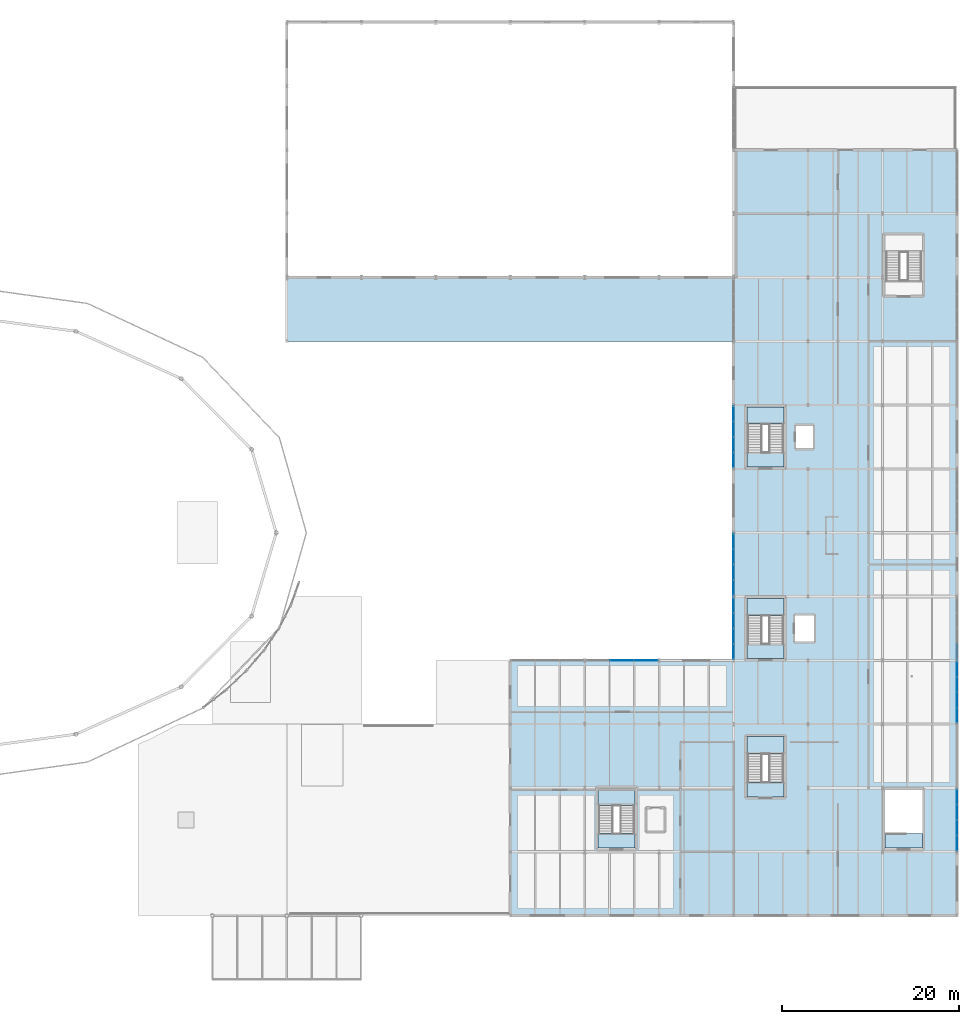
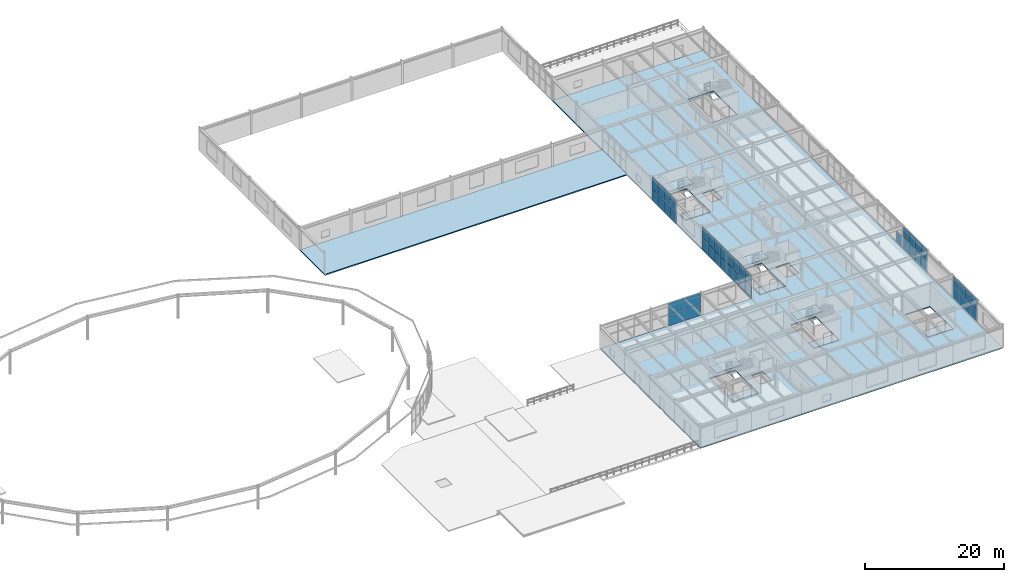
# One storey, part 54 of 73: 45 plates, 11 slabs, 11 elements without a shape of their own.
"""IFC4 building model written with IfcOpenShell, lengths in metres."""

from ifc_helpers import new_model, si_unit, derived_unit, direction, frame, origin, origin_2d, place, context, subcontext, project, spatial, polyline, rectangle, outline, extrude, material, layer, layer_set, type_object, element, aggregate, save


model = new_model("IFC4")

# Units and contexts
model_context = context("Model", 3, precision=1e-05, world=origin(), true_north=direction((0.0, 1.0)))
body_context = subcontext(model_context, "Body", "Model", "MODEL_VIEW")
ifc_project = project(units=[si_unit("LENGTHUNIT", "METRE"), si_unit("AREAUNIT", "SQUARE_METRE"), si_unit("VOLUMEUNIT", "CUBIC_METRE"), si_unit("PLANEANGLEUNIT", "RADIAN"), si_unit("MASSUNIT", "GRAM", prefix="KILO"), derived_unit("THERMALTRANSMITTANCEUNIT", [(si_unit("MASSUNIT", "GRAM", prefix="KILO"), 1), (si_unit("TIMEUNIT", "SECOND"), -3), (si_unit("THERMODYNAMICTEMPERATUREUNIT", "KELVIN"), -1)])], contexts=[model_context])

# Site, building, storey
site_placement = place(None, origin())
site = spatial("IfcSite", under=ifc_project, at=site_placement, CompositionType="ELEMENT")
building_placement = place(site_placement, origin())
building = spatial("IfcBuilding", under=site, at=building_placement, Name="Kharveza Railside Sports Centre", CompositionType="ELEMENT")
storey_placement = place(building_placement, frame((0.0, 0.0, 8.699951171875)))
storey = spatial("IfcBuildingStorey", under=building, at=storey_placement, Name="L02", CompositionType="ELEMENT", Elevation=8.699951171875)

# Curtain wall, plates
ifc_material_1 = material(Name="Low-E solar-control laminated glass", Category="glass")
curtain_wall_type_1 = type_object("IfcCurtainWallType", Name="CW-WG01", PredefinedType="NOTDEFINED", material=ifc_material_1)
curtain_wall_1_placement = place(storey_placement, origin())
curtain_wall_1 = element("IfcCurtainWall", 1, at=curtain_wall_1_placement, inside=storey, type_object=curtain_wall_type_1, Name="CW-WG-L02-CW-WG01-X1302-Y360", PredefinedType="NOTDEFINED")
ifc_layer_1 = layer(ifc_material_1, 0.035888671875, Name="Low-E solar-control laminated glass")
ifc_layer_set_1 = layer_set([ifc_layer_1], Name="Low-E solar-control laminated glass")
plate_type_1 = type_object("IfcPlateType", Name="PL-CP08", PredefinedType="CURTAIN_PANEL", material=ifc_layer_set_1)
plate_1_placement = place(storey_placement, frame((132.919921875, 36.0, 2.02001953125), z_axis=(0.0, 0.0, 1.0), x_axis=(-1.0, 0.0, 0.0)))
plate_1 = element("IfcPlate", 2, at=plate_1_placement, type_object=plate_type_1, Name="CW-WG-L02-CW-WG01-X1302-Y360-PN12", PredefinedType="CURTAIN_PANEL", context=body_context, shape_type="SweptSolid", body=[
    extrude(rectangle(XDim=2.679931640625, YDim=0.035888671875, at=origin_2d()), origin(), (0.0, 0.0, 1.0), 1.9599609375),
])
plate_2_placement = place(storey_placement, frame((130.199951171875, 36.0, 2.02001953125), z_axis=(0.0, 0.0, 1.0), x_axis=(-1.0, 0.0, 0.0)))
plate_2 = element("IfcPlate", 3, at=plate_2_placement, type_object=plate_type_1, Name="CW-WG-L02-CW-WG01-X1302-Y360-PN22", PredefinedType="CURTAIN_PANEL", context=body_context, shape_type="SweptSolid", body=[
    extrude(rectangle(XDim=2.679931640625, YDim=0.035888671875, at=origin_2d()), origin(), (0.0, 0.0, 1.0), 1.9599609375),
])
ifc_material_2 = material(Name="Anodised aluminium 6063-T6", Category="aluminium")
ifc_layer_2 = layer(ifc_material_2, 0.044921875, Name="Anodised aluminium 6063-T6")
ifc_layer_set_2 = layer_set([ifc_layer_2], Name="Anodised aluminium 6063-T6")
plate_type_2 = type_object("IfcPlateType", Name="PL-CP09", PredefinedType="CURTAIN_PANEL", material=ifc_layer_set_2)
plate_3_placement = place(storey_placement, frame((132.919921875, 36.0, 0.02001953125), z_axis=(0.0, 0.0, 1.0), x_axis=(-1.0, 0.0, 0.0)))
plate_3 = element("IfcPlate", 4, at=plate_3_placement, type_object=plate_type_2, Name="CW-WG-L02-CW-WG01-X1302-Y360-PN11", PredefinedType="CURTAIN_PANEL", context=body_context, shape_type="SweptSolid", body=[
    extrude(rectangle(XDim=2.679931640625, YDim=0.044921875, at=origin_2d()), origin(), (0.0, 0.0, 1.0), 1.9599609375),
])
plate_4_placement = place(storey_placement, frame((130.199951171875, 36.0, 0.02001953125), z_axis=(0.0, 0.0, 1.0), x_axis=(-1.0, 0.0, 0.0)))
plate_4 = element("IfcPlate", 5, at=plate_4_placement, type_object=plate_type_2, Name="CW-WG-L02-CW-WG01-X1302-Y360-PN21", PredefinedType="CURTAIN_PANEL", context=body_context, shape_type="SweptSolid", body=[
    extrude(rectangle(XDim=2.679931640625, YDim=0.044921875, at=origin_2d()), origin(), (0.0, 0.0, 1.0), 1.9599609375),
])
aggregate(curtain_wall_1, [plate_3, plate_1, plate_4, plate_2])

curtain_wall_type_2 = type_object("IfcCurtainWallType", Name="CW-WG02", PredefinedType="NOTDEFINED", material=ifc_material_1)
curtain_wall_2_placement = place(storey_placement, origin())
curtain_wall_2 = element("IfcCurtainWall", 6, at=curtain_wall_2_placement, inside=storey, type_object=curtain_wall_type_2, Name="CW-WG-L02-CW-WG02-X1680-Y180", PredefinedType="NOTDEFINED")
ifc_layer_3 = layer(ifc_material_1, 0.035888671875, Name="Low-E solar-control laminated glass")
ifc_layer_set_3 = layer_set([ifc_layer_3], Name="Low-E solar-control laminated glass")
plate_type_3 = type_object("IfcPlateType", Name="PL-CP10", PredefinedType="CURTAIN_PANEL", material=ifc_layer_set_3)
plate_5_placement = place(storey_placement, frame((168.0, 15.389892578125, 2.02001953125), z_axis=(0.0, 0.0, 1.0), x_axis=(0.0, 1.0, 0.0)))
plate_5 = element("IfcPlate", 7, at=plate_5_placement, type_object=plate_type_3, Name="CW-WG-L02-CW-WG02-X1680-Y180-PN12", PredefinedType="CURTAIN_PANEL", context=body_context, shape_type="SweptSolid", body=[
    extrude(rectangle(XDim=1.699951171875, YDim=0.035888671875, at=origin_2d()), origin(), (0.0, 0.0, 1.0), 1.9599609375),
])
plate_6_placement = place(storey_placement, frame((168.0, 17.1298828125, 2.02001953125), z_axis=(0.0, 0.0, 1.0), x_axis=(0.0, 1.0, 0.0)))
plate_6 = element("IfcPlate", 8, at=plate_6_placement, type_object=plate_type_3, Name="CW-WG-L02-CW-WG02-X1680-Y180-PN22", PredefinedType="CURTAIN_PANEL", context=body_context, shape_type="SweptSolid", body=[
    extrude(rectangle(XDim=1.699951171875, YDim=0.035888671875, at=origin_2d()), origin(), (0.0, 0.0, 1.0), 1.9599609375),
])
plate_7_placement = place(storey_placement, frame((168.0, 18.8701171875, 2.02001953125), z_axis=(0.0, 0.0, 1.0), x_axis=(0.0, 1.0, 0.0)))
plate_7 = element("IfcPlate", 9, at=plate_7_placement, type_object=plate_type_3, Name="CW-WG-L02-CW-WG02-X1680-Y180-PN32", PredefinedType="CURTAIN_PANEL", context=body_context, shape_type="SweptSolid", body=[
    extrude(rectangle(XDim=1.699951171875, YDim=0.035888671875, at=origin_2d()), origin(), (0.0, 0.0, 1.0), 1.9599609375),
])
plate_8_placement = place(storey_placement, frame((168.0, 20.610107421875, 2.02001953125), z_axis=(0.0, 0.0, 1.0), x_axis=(0.0, 1.0, 0.0)))
plate_8 = element("IfcPlate", 10, at=plate_8_placement, type_object=plate_type_3, Name="CW-WG-L02-CW-WG02-X1680-Y180-PN42", PredefinedType="CURTAIN_PANEL", context=body_context, shape_type="SweptSolid", body=[
    extrude(rectangle(XDim=1.699951171875, YDim=0.035888671875, at=origin_2d()), origin(), (0.0, 0.0, 1.0), 1.9599609375),
])

curtain_wall_3_placement = place(storey_placement, origin())
curtain_wall_3 = element("IfcCurtainWall", 11, at=curtain_wall_3_placement, inside=storey, type_object=curtain_wall_type_2, Name="CW-WG-L02-CW-WG02-X1680-Y324", PredefinedType="NOTDEFINED")
plate_9_placement = place(storey_placement, frame((168.0, 29.7900390625, 2.02001953125), z_axis=(0.0, 0.0, 1.0), x_axis=(0.0, 1.0, 0.0)))
plate_9 = element("IfcPlate", 12, at=plate_9_placement, type_object=plate_type_3, Name="CW-WG-L02-CW-WG02-X1680-Y324-PN12", PredefinedType="CURTAIN_PANEL", context=body_context, shape_type="SweptSolid", body=[
    extrude(rectangle(XDim=1.699951171875, YDim=0.035888671875, at=origin_2d()), origin(), (0.0, 0.0, 1.0), 1.9599609375),
])
plate_10_placement = place(storey_placement, frame((168.0, 31.530029296875, 2.02001953125), z_axis=(0.0, 0.0, 1.0), x_axis=(0.0, 1.0, 0.0)))
plate_10 = element("IfcPlate", 13, at=plate_10_placement, type_object=plate_type_3, Name="CW-WG-L02-CW-WG02-X1680-Y324-PN22", PredefinedType="CURTAIN_PANEL", context=body_context, shape_type="SweptSolid", body=[
    extrude(rectangle(XDim=1.699951171875, YDim=0.035888671875, at=origin_2d()), origin(), (0.0, 0.0, 1.0), 1.9599609375),
])
plate_11_placement = place(storey_placement, frame((168.0, 33.27001953125, 2.02001953125), z_axis=(0.0, 0.0, 1.0), x_axis=(0.0, 1.0, 0.0)))
plate_11 = element("IfcPlate", 14, at=plate_11_placement, type_object=plate_type_3, Name="CW-WG-L02-CW-WG02-X1680-Y324-PN32", PredefinedType="CURTAIN_PANEL", context=body_context, shape_type="SweptSolid", body=[
    extrude(rectangle(XDim=1.699951171875, YDim=0.035888671875, at=origin_2d()), origin(), (0.0, 0.0, 1.0), 1.9599609375),
])
plate_12_placement = place(storey_placement, frame((168.0, 35.010009765625, 2.02001953125), z_axis=(0.0, 0.0, 1.0), x_axis=(0.0, 1.0, 0.0)))
plate_12 = element("IfcPlate", 15, at=plate_12_placement, type_object=plate_type_3, Name="CW-WG-L02-CW-WG02-X1680-Y324-PN42", PredefinedType="CURTAIN_PANEL", context=body_context, shape_type="SweptSolid", body=[
    extrude(rectangle(XDim=1.699951171875, YDim=0.035888671875, at=origin_2d()), origin(), (0.0, 0.0, 1.0), 1.9599609375),
])

curtain_wall_4_placement = place(storey_placement, origin())
curtain_wall_4 = element("IfcCurtainWall", 16, at=curtain_wall_4_placement, inside=storey, type_object=curtain_wall_type_2, Name="CW-WG-L02-CW-WG02-X1428-Y612", PredefinedType="NOTDEFINED")
plate_13_placement = place(storey_placement, frame((142.800048828125, 63.81005859375, 2.02001953125), z_axis=(0.0, 0.0, 1.0), x_axis=(0.0, -1.0, 0.0)))
plate_13 = element("IfcPlate", 17, at=plate_13_placement, type_object=plate_type_3, Name="CW-WG-L02-CW-WG02-X1428-Y612-PN12", PredefinedType="CURTAIN_PANEL", context=body_context, shape_type="SweptSolid", body=[
    extrude(rectangle(XDim=1.699951171875, YDim=0.035888671875, at=origin_2d()), origin(), (0.0, 0.0, 1.0), 1.9599609375),
])
plate_14_placement = place(storey_placement, frame((142.800048828125, 62.070068359375, 2.02001953125), z_axis=(0.0, 0.0, 1.0), x_axis=(0.0, -1.0, 0.0)))
plate_14 = element("IfcPlate", 18, at=plate_14_placement, type_object=plate_type_3, Name="CW-WG-L02-CW-WG02-X1428-Y612-PN22", PredefinedType="CURTAIN_PANEL", context=body_context, shape_type="SweptSolid", body=[
    extrude(rectangle(XDim=1.699951171875, YDim=0.035888671875, at=origin_2d()), origin(), (0.0, 0.0, 1.0), 1.9599609375),
])
plate_15_placement = place(storey_placement, frame((142.800048828125, 60.330078125, 2.02001953125), z_axis=(0.0, 0.0, 1.0), x_axis=(0.0, -1.0, 0.0)))
plate_15 = element("IfcPlate", 19, at=plate_15_placement, type_object=plate_type_3, Name="CW-WG-L02-CW-WG02-X1428-Y612-PN32", PredefinedType="CURTAIN_PANEL", context=body_context, shape_type="SweptSolid", body=[
    extrude(rectangle(XDim=1.699951171875, YDim=0.035888671875, at=origin_2d()), origin(), (0.0, 0.0, 1.0), 1.9599609375),
])
plate_16_placement = place(storey_placement, frame((142.800048828125, 58.590087890625, 2.02001953125), z_axis=(0.0, 0.0, 1.0), x_axis=(0.0, -1.0, 0.0)))
plate_16 = element("IfcPlate", 20, at=plate_16_placement, type_object=plate_type_3, Name="CW-WG-L02-CW-WG02-X1428-Y612-PN42", PredefinedType="CURTAIN_PANEL", context=body_context, shape_type="SweptSolid", body=[
    extrude(rectangle(XDim=1.699951171875, YDim=0.035888671875, at=origin_2d()), origin(), (0.0, 0.0, 1.0), 1.9599609375),
])

curtain_wall_5_placement = place(storey_placement, origin())
curtain_wall_5 = element("IfcCurtainWall", 21, at=curtain_wall_5_placement, inside=storey, type_object=curtain_wall_type_2, Name="CW-WG-L02-CW-WG02-X1428-Y468", PredefinedType="NOTDEFINED")
plate_17_placement = place(storey_placement, frame((142.800048828125, 49.409912109375, 2.02001953125), z_axis=(0.0, 0.0, 1.0), x_axis=(0.0, -1.0, 0.0)))
plate_17 = element("IfcPlate", 22, at=plate_17_placement, type_object=plate_type_3, Name="CW-WG-L02-CW-WG02-X1428-Y468-PN12", PredefinedType="CURTAIN_PANEL", context=body_context, shape_type="SweptSolid", body=[
    extrude(rectangle(XDim=1.699951171875, YDim=0.035888671875, at=origin_2d()), origin(), (0.0, 0.0, 1.0), 1.9599609375),
])
plate_18_placement = place(storey_placement, frame((142.800048828125, 47.669921875, 2.02001953125), z_axis=(0.0, 0.0, 1.0), x_axis=(0.0, -1.0, 0.0)))
plate_18 = element("IfcPlate", 23, at=plate_18_placement, type_object=plate_type_3, Name="CW-WG-L02-CW-WG02-X1428-Y468-PN22", PredefinedType="CURTAIN_PANEL", context=body_context, shape_type="SweptSolid", body=[
    extrude(rectangle(XDim=1.699951171875, YDim=0.035888671875, at=origin_2d()), origin(), (0.0, 0.0, 1.0), 1.9599609375),
])
plate_19_placement = place(storey_placement, frame((142.800048828125, 45.929931640625, 2.02001953125), z_axis=(0.0, 0.0, 1.0), x_axis=(0.0, -1.0, 0.0)))
plate_19 = element("IfcPlate", 24, at=plate_19_placement, type_object=plate_type_3, Name="CW-WG-L02-CW-WG02-X1428-Y468-PN32", PredefinedType="CURTAIN_PANEL", context=body_context, shape_type="SweptSolid", body=[
    extrude(rectangle(XDim=1.699951171875, YDim=0.035888671875, at=origin_2d()), origin(), (0.0, 0.0, 1.0), 1.9599609375),
])
plate_20_placement = place(storey_placement, frame((142.800048828125, 44.18994140625, 2.02001953125), z_axis=(0.0, 0.0, 1.0), x_axis=(0.0, -1.0, 0.0)))
plate_20 = element("IfcPlate", 25, at=plate_20_placement, type_object=plate_type_3, Name="CW-WG-L02-CW-WG02-X1428-Y468-PN42", PredefinedType="CURTAIN_PANEL", context=body_context, shape_type="SweptSolid", body=[
    extrude(rectangle(XDim=1.699951171875, YDim=0.035888671875, at=origin_2d()), origin(), (0.0, 0.0, 1.0), 1.9599609375),
])

curtain_wall_6_placement = place(storey_placement, origin())
curtain_wall_6 = element("IfcCurtainWall", 26, at=curtain_wall_6_placement, inside=storey, type_object=curtain_wall_type_2, Name="CW-WG-L02-CW-WG02-X1428-Y396", PredefinedType="NOTDEFINED")
plate_21_placement = place(storey_placement, frame((142.800048828125, 42.2099609375, 2.02001953125), z_axis=(0.0, 0.0, 1.0), x_axis=(0.0, -1.0, 0.0)))
plate_21 = element("IfcPlate", 27, at=plate_21_placement, type_object=plate_type_3, Name="CW-WG-L02-CW-WG02-X1428-Y396-PN12", PredefinedType="CURTAIN_PANEL", context=body_context, shape_type="SweptSolid", body=[
    extrude(rectangle(XDim=1.699951171875, YDim=0.035888671875, at=origin_2d()), origin(), (0.0, 0.0, 1.0), 1.9599609375),
])
plate_22_placement = place(storey_placement, frame((142.800048828125, 40.469970703125, 2.02001953125), z_axis=(0.0, 0.0, 1.0), x_axis=(0.0, -1.0, 0.0)))
plate_22 = element("IfcPlate", 28, at=plate_22_placement, type_object=plate_type_3, Name="CW-WG-L02-CW-WG02-X1428-Y396-PN22", PredefinedType="CURTAIN_PANEL", context=body_context, shape_type="SweptSolid", body=[
    extrude(rectangle(XDim=1.699951171875, YDim=0.035888671875, at=origin_2d()), origin(), (0.0, 0.0, 1.0), 1.9599609375),
])
plate_23_placement = place(storey_placement, frame((142.800048828125, 38.72998046875, 2.02001953125), z_axis=(0.0, 0.0, 1.0), x_axis=(0.0, -1.0, 0.0)))
plate_23 = element("IfcPlate", 29, at=plate_23_placement, type_object=plate_type_3, Name="CW-WG-L02-CW-WG02-X1428-Y396-PN32", PredefinedType="CURTAIN_PANEL", context=body_context, shape_type="SweptSolid", body=[
    extrude(rectangle(XDim=1.699951171875, YDim=0.035888671875, at=origin_2d()), origin(), (0.0, 0.0, 1.0), 1.9599609375),
])
plate_24_placement = place(storey_placement, frame((142.800048828125, 36.989990234375, 2.02001953125), z_axis=(0.0, 0.0, 1.0), x_axis=(0.0, -1.0, 0.0)))
plate_24 = element("IfcPlate", 30, at=plate_24_placement, type_object=plate_type_3, Name="CW-WG-L02-CW-WG02-X1428-Y396-PN42", PredefinedType="CURTAIN_PANEL", context=body_context, shape_type="SweptSolid", body=[
    extrude(rectangle(XDim=1.699951171875, YDim=0.035888671875, at=origin_2d()), origin(), (0.0, 0.0, 1.0), 1.9599609375),
])

# Plate
ifc_layer_4 = layer(ifc_material_2, 0.044921875, Name="Anodised aluminium 6063-T6")
ifc_layer_set_4 = layer_set([ifc_layer_4], Name="Anodised aluminium 6063-T6")
plate_type_4 = type_object("IfcPlateType", Name="PL-CP11", PredefinedType="CURTAIN_PANEL", material=ifc_layer_set_4)
plate_25_placement = place(storey_placement, frame((168.0, 15.389892578125, 0.02001953125), z_axis=(0.0, 0.0, 1.0), x_axis=(0.0, 1.0, 0.0)))
plate_25 = element("IfcPlate", 31, at=plate_25_placement, type_object=plate_type_4, Name="CW-WG-L02-CW-WG02-X1680-Y180-PN11", PredefinedType="CURTAIN_PANEL", context=body_context, shape_type="SweptSolid", body=[
    extrude(rectangle(XDim=1.699951171875, YDim=0.044921875, at=origin_2d()), origin(), (0.0, 0.0, 1.0), 1.9599609375),
])

plate_26_placement = place(storey_placement, frame((168.0, 17.1298828125, 0.02001953125), z_axis=(0.0, 0.0, 1.0), x_axis=(0.0, 1.0, 0.0)))
plate_26 = element("IfcPlate", 32, at=plate_26_placement, type_object=plate_type_4, Name="CW-WG-L02-CW-WG02-X1680-Y180-PN21", PredefinedType="CURTAIN_PANEL", context=body_context, shape_type="SweptSolid", body=[
    extrude(rectangle(XDim=1.699951171875, YDim=0.044921875, at=origin_2d()), origin(), (0.0, 0.0, 1.0), 1.9599609375),
])

plate_27_placement = place(storey_placement, frame((168.0, 18.8701171875, 0.02001953125), z_axis=(0.0, 0.0, 1.0), x_axis=(0.0, 1.0, 0.0)))
plate_27 = element("IfcPlate", 33, at=plate_27_placement, type_object=plate_type_4, Name="CW-WG-L02-CW-WG02-X1680-Y180-PN31", PredefinedType="CURTAIN_PANEL", context=body_context, shape_type="SweptSolid", body=[
    extrude(rectangle(XDim=1.699951171875, YDim=0.044921875, at=origin_2d()), origin(), (0.0, 0.0, 1.0), 1.9599609375),
])

plate_28_placement = place(storey_placement, frame((168.0, 20.610107421875, 0.02001953125), z_axis=(0.0, 0.0, 1.0), x_axis=(0.0, 1.0, 0.0)))
plate_28 = element("IfcPlate", 34, at=plate_28_placement, type_object=plate_type_4, Name="CW-WG-L02-CW-WG02-X1680-Y180-PN41", PredefinedType="CURTAIN_PANEL", context=body_context, shape_type="SweptSolid", body=[
    extrude(rectangle(XDim=1.699951171875, YDim=0.044921875, at=origin_2d()), origin(), (0.0, 0.0, 1.0), 1.9599609375),
])

aggregate(curtain_wall_2, [plate_25, plate_5, plate_26, plate_6, plate_27, plate_7, plate_28, plate_8])

plate_29_placement = place(storey_placement, frame((168.0, 29.7900390625, 0.02001953125), z_axis=(0.0, 0.0, 1.0), x_axis=(0.0, 1.0, 0.0)))
plate_29 = element("IfcPlate", 35, at=plate_29_placement, type_object=plate_type_4, Name="CW-WG-L02-CW-WG02-X1680-Y324-PN11", PredefinedType="CURTAIN_PANEL", context=body_context, shape_type="SweptSolid", body=[
    extrude(rectangle(XDim=1.699951171875, YDim=0.044921875, at=origin_2d()), origin(), (0.0, 0.0, 1.0), 1.9599609375),
])

plate_30_placement = place(storey_placement, frame((168.0, 31.530029296875, 0.02001953125), z_axis=(0.0, 0.0, 1.0), x_axis=(0.0, 1.0, 0.0)))
plate_30 = element("IfcPlate", 36, at=plate_30_placement, type_object=plate_type_4, Name="CW-WG-L02-CW-WG02-X1680-Y324-PN21", PredefinedType="CURTAIN_PANEL", context=body_context, shape_type="SweptSolid", body=[
    extrude(rectangle(XDim=1.699951171875, YDim=0.044921875, at=origin_2d()), origin(), (0.0, 0.0, 1.0), 1.9599609375),
])

plate_31_placement = place(storey_placement, frame((168.0, 33.27001953125, 0.02001953125), z_axis=(0.0, 0.0, 1.0), x_axis=(0.0, 1.0, 0.0)))
plate_31 = element("IfcPlate", 37, at=plate_31_placement, type_object=plate_type_4, Name="CW-WG-L02-CW-WG02-X1680-Y324-PN31", PredefinedType="CURTAIN_PANEL", context=body_context, shape_type="SweptSolid", body=[
    extrude(rectangle(XDim=1.699951171875, YDim=0.044921875, at=origin_2d()), origin(), (0.0, 0.0, 1.0), 1.9599609375),
])

plate_32_placement = place(storey_placement, frame((168.0, 35.010009765625, 0.02001953125), z_axis=(0.0, 0.0, 1.0), x_axis=(0.0, 1.0, 0.0)))
plate_32 = element("IfcPlate", 38, at=plate_32_placement, type_object=plate_type_4, Name="CW-WG-L02-CW-WG02-X1680-Y324-PN41", PredefinedType="CURTAIN_PANEL", context=body_context, shape_type="SweptSolid", body=[
    extrude(rectangle(XDim=1.699951171875, YDim=0.044921875, at=origin_2d()), origin(), (0.0, 0.0, 1.0), 1.9599609375),
])

aggregate(curtain_wall_3, [plate_29, plate_9, plate_30, plate_10, plate_31, plate_11, plate_32, plate_12])

# Curtain wall, plate
curtain_wall_7_placement = place(storey_placement, origin())
curtain_wall_7 = element("IfcCurtainWall", 39, at=curtain_wall_7_placement, inside=storey, type_object=curtain_wall_type_2, Name="CW-WG-L02-CW-WG02-X1680-Y396", PredefinedType="NOTDEFINED")
plate_33_placement = place(storey_placement, frame((168.0, 36.989990234375, 0.02001953125), z_axis=(0.0, 0.0, 1.0), x_axis=(0.0, 1.0, 0.0)))
plate_33 = element("IfcPlate", 40, at=plate_33_placement, type_object=plate_type_4, Name="CW-WG-L02-CW-WG02-X1680-Y396-PN11", PredefinedType="CURTAIN_PANEL", context=body_context, shape_type="SweptSolid", body=[
    extrude(rectangle(XDim=1.699951171875, YDim=0.044921875, at=origin_2d()), origin(), (0.0, 0.0, 1.0), 1.9599609375),
])
aggregate(curtain_wall_7, [plate_33])

# Plate
plate_34_placement = place(storey_placement, frame((142.800048828125, 63.81005859375, 0.02001953125), z_axis=(0.0, 0.0, 1.0), x_axis=(0.0, -1.0, 0.0)))
plate_34 = element("IfcPlate", 41, at=plate_34_placement, type_object=plate_type_4, Name="CW-WG-L02-CW-WG02-X1428-Y612-PN11", PredefinedType="CURTAIN_PANEL", context=body_context, shape_type="SweptSolid", body=[
    extrude(rectangle(XDim=1.699951171875, YDim=0.044921875, at=origin_2d()), origin(), (0.0, 0.0, 1.0), 1.9599609375),
])

plate_35_placement = place(storey_placement, frame((142.800048828125, 62.070068359375, 0.02001953125), z_axis=(0.0, 0.0, 1.0), x_axis=(0.0, -1.0, 0.0)))
plate_35 = element("IfcPlate", 42, at=plate_35_placement, type_object=plate_type_4, Name="CW-WG-L02-CW-WG02-X1428-Y612-PN21", PredefinedType="CURTAIN_PANEL", context=body_context, shape_type="SweptSolid", body=[
    extrude(rectangle(XDim=1.699951171875, YDim=0.044921875, at=origin_2d()), origin(), (0.0, 0.0, 1.0), 1.9599609375),
])

plate_36_placement = place(storey_placement, frame((142.800048828125, 60.330078125, 0.02001953125), z_axis=(0.0, 0.0, 1.0), x_axis=(0.0, -1.0, 0.0)))
plate_36 = element("IfcPlate", 43, at=plate_36_placement, type_object=plate_type_4, Name="CW-WG-L02-CW-WG02-X1428-Y612-PN31", PredefinedType="CURTAIN_PANEL", context=body_context, shape_type="SweptSolid", body=[
    extrude(rectangle(XDim=1.699951171875, YDim=0.044921875, at=origin_2d()), origin(), (0.0, 0.0, 1.0), 1.9599609375),
])

plate_37_placement = place(storey_placement, frame((142.800048828125, 58.590087890625, 0.02001953125), z_axis=(0.0, 0.0, 1.0), x_axis=(0.0, -1.0, 0.0)))
plate_37 = element("IfcPlate", 44, at=plate_37_placement, type_object=plate_type_4, Name="CW-WG-L02-CW-WG02-X1428-Y612-PN41", PredefinedType="CURTAIN_PANEL", context=body_context, shape_type="SweptSolid", body=[
    extrude(rectangle(XDim=1.699951171875, YDim=0.044921875, at=origin_2d()), origin(), (0.0, 0.0, 1.0), 1.9599609375),
])

aggregate(curtain_wall_4, [plate_34, plate_13, plate_35, plate_14, plate_36, plate_15, plate_37, plate_16])

plate_38_placement = place(storey_placement, frame((142.800048828125, 49.409912109375, 0.02001953125), z_axis=(0.0, 0.0, 1.0), x_axis=(0.0, -1.0, 0.0)))
plate_38 = element("IfcPlate", 45, at=plate_38_placement, type_object=plate_type_4, Name="CW-WG-L02-CW-WG02-X1428-Y468-PN11", PredefinedType="CURTAIN_PANEL", context=body_context, shape_type="SweptSolid", body=[
    extrude(rectangle(XDim=1.699951171875, YDim=0.044921875, at=origin_2d()), origin(), (0.0, 0.0, 1.0), 1.9599609375),
])

plate_39_placement = place(storey_placement, frame((142.800048828125, 47.669921875, 0.02001953125), z_axis=(0.0, 0.0, 1.0), x_axis=(0.0, -1.0, 0.0)))
plate_39 = element("IfcPlate", 46, at=plate_39_placement, type_object=plate_type_4, Name="CW-WG-L02-CW-WG02-X1428-Y468-PN21", PredefinedType="CURTAIN_PANEL", context=body_context, shape_type="SweptSolid", body=[
    extrude(rectangle(XDim=1.699951171875, YDim=0.044921875, at=origin_2d()), origin(), (0.0, 0.0, 1.0), 1.9599609375),
])

plate_40_placement = place(storey_placement, frame((142.800048828125, 45.929931640625, 0.02001953125), z_axis=(0.0, 0.0, 1.0), x_axis=(0.0, -1.0, 0.0)))
plate_40 = element("IfcPlate", 47, at=plate_40_placement, type_object=plate_type_4, Name="CW-WG-L02-CW-WG02-X1428-Y468-PN31", PredefinedType="CURTAIN_PANEL", context=body_context, shape_type="SweptSolid", body=[
    extrude(rectangle(XDim=1.699951171875, YDim=0.044921875, at=origin_2d()), origin(), (0.0, 0.0, 1.0), 1.9599609375),
])

plate_41_placement = place(storey_placement, frame((142.800048828125, 44.18994140625, 0.02001953125), z_axis=(0.0, 0.0, 1.0), x_axis=(0.0, -1.0, 0.0)))
plate_41 = element("IfcPlate", 48, at=plate_41_placement, type_object=plate_type_4, Name="CW-WG-L02-CW-WG02-X1428-Y468-PN41", PredefinedType="CURTAIN_PANEL", context=body_context, shape_type="SweptSolid", body=[
    extrude(rectangle(XDim=1.699951171875, YDim=0.044921875, at=origin_2d()), origin(), (0.0, 0.0, 1.0), 1.9599609375),
])

aggregate(curtain_wall_5, [plate_38, plate_17, plate_39, plate_18, plate_40, plate_19, plate_41, plate_20])

plate_42_placement = place(storey_placement, frame((142.800048828125, 42.2099609375, 0.02001953125), z_axis=(0.0, 0.0, 1.0), x_axis=(0.0, -1.0, 0.0)))
plate_42 = element("IfcPlate", 49, at=plate_42_placement, type_object=plate_type_4, Name="CW-WG-L02-CW-WG02-X1428-Y396-PN11", PredefinedType="CURTAIN_PANEL", context=body_context, shape_type="SweptSolid", body=[
    extrude(rectangle(XDim=1.699951171875, YDim=0.044921875, at=origin_2d()), origin(), (0.0, 0.0, 1.0), 1.9599609375),
])

plate_43_placement = place(storey_placement, frame((142.800048828125, 40.469970703125, 0.02001953125), z_axis=(0.0, 0.0, 1.0), x_axis=(0.0, -1.0, 0.0)))
plate_43 = element("IfcPlate", 50, at=plate_43_placement, type_object=plate_type_4, Name="CW-WG-L02-CW-WG02-X1428-Y396-PN21", PredefinedType="CURTAIN_PANEL", context=body_context, shape_type="SweptSolid", body=[
    extrude(rectangle(XDim=1.699951171875, YDim=0.044921875, at=origin_2d()), origin(), (0.0, 0.0, 1.0), 1.9599609375),
])

plate_44_placement = place(storey_placement, frame((142.800048828125, 38.72998046875, 0.02001953125), z_axis=(0.0, 0.0, 1.0), x_axis=(0.0, -1.0, 0.0)))
plate_44 = element("IfcPlate", 51, at=plate_44_placement, type_object=plate_type_4, Name="CW-WG-L02-CW-WG02-X1428-Y396-PN31", PredefinedType="CURTAIN_PANEL", context=body_context, shape_type="SweptSolid", body=[
    extrude(rectangle(XDim=1.699951171875, YDim=0.044921875, at=origin_2d()), origin(), (0.0, 0.0, 1.0), 1.9599609375),
])

plate_45_placement = place(storey_placement, frame((142.800048828125, 36.989990234375, 0.02001953125), z_axis=(0.0, 0.0, 1.0), x_axis=(0.0, -1.0, 0.0)))
plate_45 = element("IfcPlate", 52, at=plate_45_placement, type_object=plate_type_4, Name="CW-WG-L02-CW-WG02-X1428-Y396-PN41", PredefinedType="CURTAIN_PANEL", context=body_context, shape_type="SweptSolid", body=[
    extrude(rectangle(XDim=1.699951171875, YDim=0.044921875, at=origin_2d()), origin(), (0.0, 0.0, 1.0), 1.9599609375),
])

aggregate(curtain_wall_6, [plate_42, plate_21, plate_43, plate_22, plate_44, plate_23, plate_45, plate_24])

# Slabs
ifc_material_3 = material(Name="Concrete C35/45", Category="concrete")
ifc_layer_5 = layer(ifc_material_3, 0.199951171875, Name="Concrete C35/45")
ifc_layer_set_5 = layer_set([ifc_layer_5], Name="Concrete C35/45")
slab_type_1 = type_object("IfcSlabType", Name="SL-FL200", PredefinedType="FLOOR", material=ifc_layer_set_5)
slab_1_placement = place(storey_placement, frame((0.0, 0.0, -0.199951171875)))
element("IfcSlab", 53, at=slab_1_placement, inside=storey, type_object=slab_type_1, Name="SLB-L02-IND-01", PredefinedType="FLOOR", context=body_context, shape_type="SweptSolid", body=[
    extrude(outline(polyline([(142.800048828125, 93.60009765625), (168.0, 93.60009765625), (168.0, 7.199951171875), (142.800048828125, 7.199951171875), (117.60009765625, 7.199951171875), (117.60009765625, 36.0), (142.800048828125, 36.0), (142.800048828125, 93.60009765625)]), holes=[polyline([(148.5, 43.0), (144.300048828125, 43.0), (144.300048828125, 36.199951171875), (148.5, 36.199951171875), (148.5, 43.0)]), polyline([(148.5, 57.800048828125), (148.5, 64.60009765625), (144.300048828125, 64.60009765625), (144.300048828125, 57.800048828125), (148.5, 57.800048828125)]), polyline([(127.5, 14.800048828125), (131.699951171875, 14.800048828125), (131.699951171875, 21.60009765625), (127.5, 21.60009765625), (127.5, 14.800048828125)]), polyline([(159.89990234375, 84.0), (159.89990234375, 77.199951171875), (164.10009765625, 77.199951171875), (164.10009765625, 84.0), (159.89990234375, 84.0)]), polyline([(148.5, 27.39990234375), (144.300048828125, 27.39990234375), (144.300048828125, 20.60009765625), (148.5, 20.60009765625), (148.5, 27.39990234375)]), polyline([(159.89990234375, 14.800048828125), (164.10009765625, 14.800048828125), (164.10009765625, 21.39990234375), (159.89990234375, 21.39990234375), (159.89990234375, 14.800048828125)]), polyline([(149.75, 41.050048828125), (149.75, 38.14990234375), (151.85009765625, 38.14990234375), (151.85009765625, 41.050048828125), (149.75, 41.050048828125)]), polyline([(151.75, 62.449951171875), (149.85009765625, 62.449951171875), (149.85009765625, 59.949951171875), (151.75, 59.949951171875), (151.75, 62.449951171875)]), polyline([(134.949951171875, 16.75), (134.949951171875, 19.25), (133.050048828125, 19.25), (133.050048828125, 16.75), (134.949951171875, 16.75)])]), origin(), (0.0, 0.0, 1.0), 0.199951171875),
])
ifc_layer_6 = layer(ifc_material_3, 0.18505859375, Name="Concrete C35/45")
ifc_layer_set_6 = layer_set([ifc_layer_6], Name="Concrete C35/45")
slab_type_2 = type_object("IfcSlabType", Name="SL-LD185", PredefinedType="LANDING", material=ifc_layer_set_6)
slab_2_placement = place(storey_placement, frame((0.0, 0.0, -0.18505859375)))
element("IfcSlab", 54, at=slab_2_placement, inside=storey, type_object=slab_type_2, Name="SLB-STLND-FLR-ST1-L02", PredefinedType="LANDING", context=body_context, shape_type="SweptSolid", body=[
    extrude(outline(polyline([(144.304931640625, 36.205078125), (148.4951171875, 36.205078125), (148.4951171875, 37.860107421875), (144.304931640625, 37.860107421875), (144.304931640625, 36.205078125)])), origin(), (0.0, 0.0, 1.0), 0.18505859375),
])

# Stair, slab
stair_type = type_object("IfcStairType", Name="ST-B42", PredefinedType="TWO_STRAIGHT_RUN_STAIR", material=ifc_material_3)
stair_1_placement = place(storey_placement, origin())
stair_1 = element("IfcStair", 55, at=stair_1_placement, inside=storey, type_object=stair_type, Name="STR-ST1-L02", PredefinedType="TWO_STRAIGHT_RUN_STAIR")
slab_3_placement = place(storey_placement, frame((0.0, 0.0, 1.9150390625)))
slab_3 = element("IfcSlab", 56, at=slab_3_placement, type_object=slab_type_2, Name="STR-ST1-L02-HLND", PredefinedType="LANDING", context=body_context, shape_type="SweptSolid", body=[
    extrude(outline(polyline([(144.304931640625, 41.050048828125), (148.4951171875, 41.050048828125), (148.4951171875, 42.9951171875), (144.304931640625, 42.9951171875), (144.304931640625, 41.050048828125)])), origin(), (0.0, 0.0, 1.0), 0.18505859375),
])
aggregate(stair_1, [slab_3])

# Slab
slab_4_placement = place(storey_placement, frame((0.0, 0.0, -0.18505859375)))
element("IfcSlab", 57, at=slab_4_placement, inside=storey, type_object=slab_type_2, Name="SLB-STLND-FLR-ST2-L02", PredefinedType="LANDING", context=body_context, shape_type="SweptSolid", body=[
    extrude(outline(polyline([(144.304931640625, 57.804931640625), (148.4951171875, 57.804931640625), (148.4951171875, 59.4599609375), (144.304931640625, 59.4599609375), (144.304931640625, 57.804931640625)])), origin(), (0.0, 0.0, 1.0), 0.18505859375),
])

# Stair, slab
stair_2_placement = place(storey_placement, origin())
stair_2 = element("IfcStair", 58, at=stair_2_placement, inside=storey, type_object=stair_type, Name="STR-ST2-L02", PredefinedType="TWO_STRAIGHT_RUN_STAIR")
slab_5_placement = place(storey_placement, frame((0.0, 0.0, 1.9150390625)))
slab_5 = element("IfcSlab", 59, at=slab_5_placement, type_object=slab_type_2, Name="STR-ST2-L02-HLND", PredefinedType="LANDING", context=body_context, shape_type="SweptSolid", body=[
    extrude(outline(polyline([(144.304931640625, 62.64990234375), (148.4951171875, 62.64990234375), (148.4951171875, 64.594970703125), (144.304931640625, 64.594970703125), (144.304931640625, 62.64990234375)])), origin(), (0.0, 0.0, 1.0), 0.18505859375),
])
aggregate(stair_2, [slab_5])

# Slab
slab_6_placement = place(storey_placement, frame((0.0, 0.0, -0.18505859375)))
element("IfcSlab", 60, at=slab_6_placement, inside=storey, type_object=slab_type_2, Name="SLB-STLND-FLR-ST3-L02", PredefinedType="LANDING", context=body_context, shape_type="SweptSolid", body=[
    extrude(outline(polyline([(127.5048828125, 14.804931640625), (131.695068359375, 14.804931640625), (131.695068359375, 16.4599609375), (127.5048828125, 16.4599609375), (127.5048828125, 14.804931640625)])), origin(), (0.0, 0.0, 1.0), 0.18505859375),
])

# Stair, slab
stair_3_placement = place(storey_placement, origin())
stair_3 = element("IfcStair", 61, at=stair_3_placement, inside=storey, type_object=stair_type, Name="STR-ST3-L02", PredefinedType="TWO_STRAIGHT_RUN_STAIR")
slab_7_placement = place(storey_placement, frame((0.0, 0.0, 1.9150390625)))
slab_7 = element("IfcSlab", 62, at=slab_7_placement, type_object=slab_type_2, Name="STR-ST3-L02-HLND", PredefinedType="LANDING", context=body_context, shape_type="SweptSolid", body=[
    extrude(outline(polyline([(127.5048828125, 19.64990234375), (131.695068359375, 19.64990234375), (131.695068359375, 21.594970703125), (127.5048828125, 21.594970703125), (127.5048828125, 19.64990234375)])), origin(), (0.0, 0.0, 1.0), 0.18505859375),
])
aggregate(stair_3, [slab_7])

# Slab
slab_8_placement = place(storey_placement, frame((0.0, 0.0, -0.18505859375)))
element("IfcSlab", 63, at=slab_8_placement, inside=storey, type_object=slab_type_2, Name="SLB-STLND-FLR-ST5-L02", PredefinedType="LANDING", context=body_context, shape_type="SweptSolid", body=[
    extrude(outline(polyline([(144.304931640625, 20.60498046875), (148.4951171875, 20.60498046875), (148.4951171875, 22.260009765625), (144.304931640625, 22.260009765625), (144.304931640625, 20.60498046875)])), origin(), (0.0, 0.0, 1.0), 0.18505859375),
])

# Stair, slab
stair_4_placement = place(storey_placement, origin())
stair_4 = element("IfcStair", 64, at=stair_4_placement, inside=storey, type_object=stair_type, Name="STR-ST5-L02", PredefinedType="TWO_STRAIGHT_RUN_STAIR")
slab_9_placement = place(storey_placement, frame((0.0, 0.0, 1.9150390625)))
slab_9 = element("IfcSlab", 65, at=slab_9_placement, type_object=slab_type_2, Name="STR-ST5-L02-HLND", PredefinedType="LANDING", context=body_context, shape_type="SweptSolid", body=[
    extrude(outline(polyline([(144.304931640625, 25.449951171875), (148.4951171875, 25.449951171875), (148.4951171875, 27.39501953125), (144.304931640625, 27.39501953125), (144.304931640625, 25.449951171875)])), origin(), (0.0, 0.0, 1.0), 0.18505859375),
])
aggregate(stair_4, [slab_9])

# Slabs
slab_10_placement = place(storey_placement, frame((0.0, 0.0, -0.18505859375)))
element("IfcSlab", 66, at=slab_10_placement, inside=storey, type_object=slab_type_2, Name="SLB-STLND-FLR-ST11-L02", PredefinedType="LANDING", context=body_context, shape_type="SweptSolid", body=[
    extrude(outline(polyline([(159.905029296875, 14.804931640625), (164.094970703125, 14.804931640625), (164.094970703125, 16.4599609375), (159.905029296875, 16.4599609375), (159.905029296875, 14.804931640625)])), origin(), (0.0, 0.0, 1.0), 0.18505859375),
])
ifc_material_4 = material(Name="Insulated standing-seam zinc-aluminium roof panel", Category="aluminium")
ifc_layer_7 = layer(ifc_material_4, 0.18994140625, Name="Insulated standing-seam zinc-aluminium roof panel")
ifc_layer_set_7 = layer_set([ifc_layer_7], Name="Insulated standing-seam zinc-aluminium roof panel")
slab_type_3 = type_object("IfcSlabType", Name="SL-RF190", PredefinedType="ROOF", material=ifc_layer_set_7)
slab_11_placement = place(storey_placement, frame((0.0, 0.0, -0.18994140625)))
element("IfcSlab", 67, at=slab_11_placement, inside=storey, type_object=slab_type_3, Name="SLB-RF-L02REM-02", PredefinedType="ROOF", context=body_context, shape_type="SweptSolid", body=[
    extrude(outline(polyline([(92.39990234375, 72.0), (92.39990234375, 79.199951171875), (142.800048828125, 79.199951171875), (142.800048828125, 72.0), (92.39990234375, 72.0)])), origin(), (0.0, 0.0, 1.0), 0.18994140625),
])

save(model, "model.ifc")
